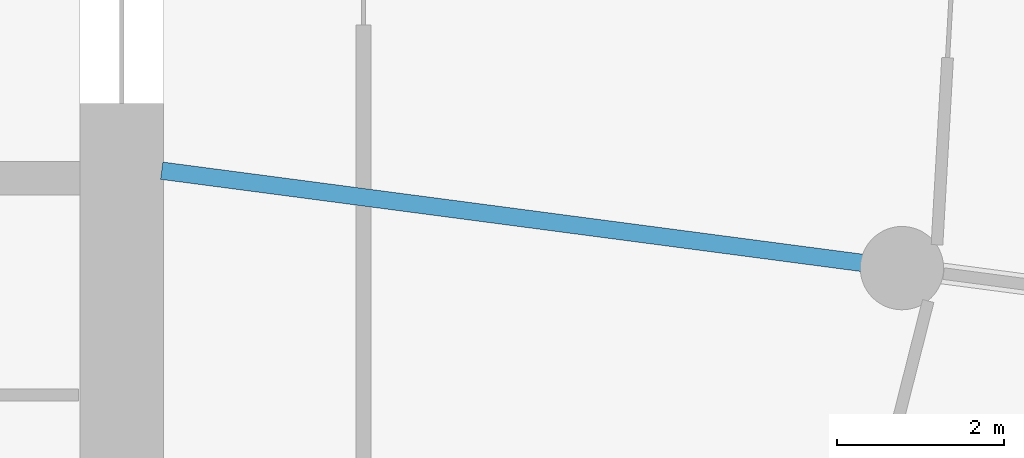
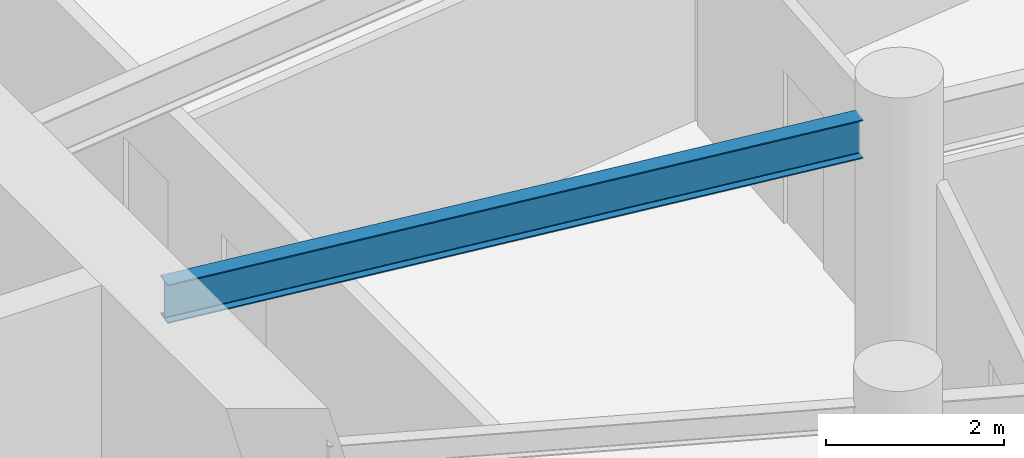
# One storey, part 5 of 19: 1 beam.
"""IFC4 building model written with IfcOpenShell, lengths in metres."""

from ifc_helpers import new_model, si_unit, direction, frame, origin, origin_2d, place, context, subcontext, project, spatial, i_section, extrude, source, transform, mapped, material, material_profile, profile_set, type_object, element, save


model = new_model("IFC4")

# Units and contexts
model_context = context("Model", 3, precision=1e-05, world=origin(), true_north=direction((0.0, 1.0)))
body_context = subcontext(model_context, "Body", "Model", "MODEL_VIEW")
ifc_project = project(units=[si_unit("LENGTHUNIT", "METRE"), si_unit("AREAUNIT", "SQUARE_METRE"), si_unit("VOLUMEUNIT", "CUBIC_METRE"), si_unit("PLANEANGLEUNIT", "RADIAN"), si_unit("MASSUNIT", "GRAM", prefix="KILO")], contexts=[model_context])

# Site, building, storey
site_placement = place(None, origin())
site = spatial("IfcSite", under=ifc_project, at=site_placement, CompositionType="ELEMENT")
building_placement = place(site_placement, origin())
building = spatial("IfcBuilding", under=site, at=building_placement, Name="Spindrift Exchange Tower", CompositionType="ELEMENT")
storey_placement = place(building_placement, frame((0.0, 0.0, 53.39990234375)))
storey = spatial("IfcBuildingStorey", under=building, at=storey_placement, Name="L12", CompositionType="ELEMENT", Elevation=53.39990234375)

# Beam
ifc_material = material(Name="Steel Grade 300", Category="steel")
ifc_material_profile = material_profile(ifc_material, i_section(OverallWidth=0.208984375, OverallDepth=0.532958984375, WebThickness=0.01025390625, FlangeThickness=0.015625, FilletRadius=0.013916015625, at=origin_2d()), Name="530UB92.4")
ifc_profile_set = profile_set([ifc_material_profile], Name="Steel Grade 300")
beam_type = type_object("IfcBeamType", Name="Floor Beam 530UB92.4 Steel Grade 300", PredefinedType="BEAM", material=ifc_profile_set)
shared_shape = source(origin(), body_context, "Body", "SweptSolid", [
    extrude(i_section(OverallWidth=0.208984375, OverallDepth=0.532958984375, WebThickness=0.01025390625, FlangeThickness=0.015625, FilletRadius=0.013916015625, at=origin_2d()), origin(), (0.0, 0.0, 1.0), 8.4794921875),
])
beam_placement = place(storey_placement, frame((64.980224609375, 46.291015625, 3.68359375), z_axis=(0.991446551951, -0.13051335037, 0.0), x_axis=(0.13051335037, 0.991446551951, 0.0)))
element("IfcBeam", 1, at=beam_placement, inside=storey, type_object=beam_type, Name="L12 radial beam R24A", PredefinedType="BEAM", context=body_context, shape_type="MappedRepresentation", body=[
    mapped(shared_shape, transform((0.0, 0.0, 0.0), scale=1.0)),
])

save(model, "model.ifc")
